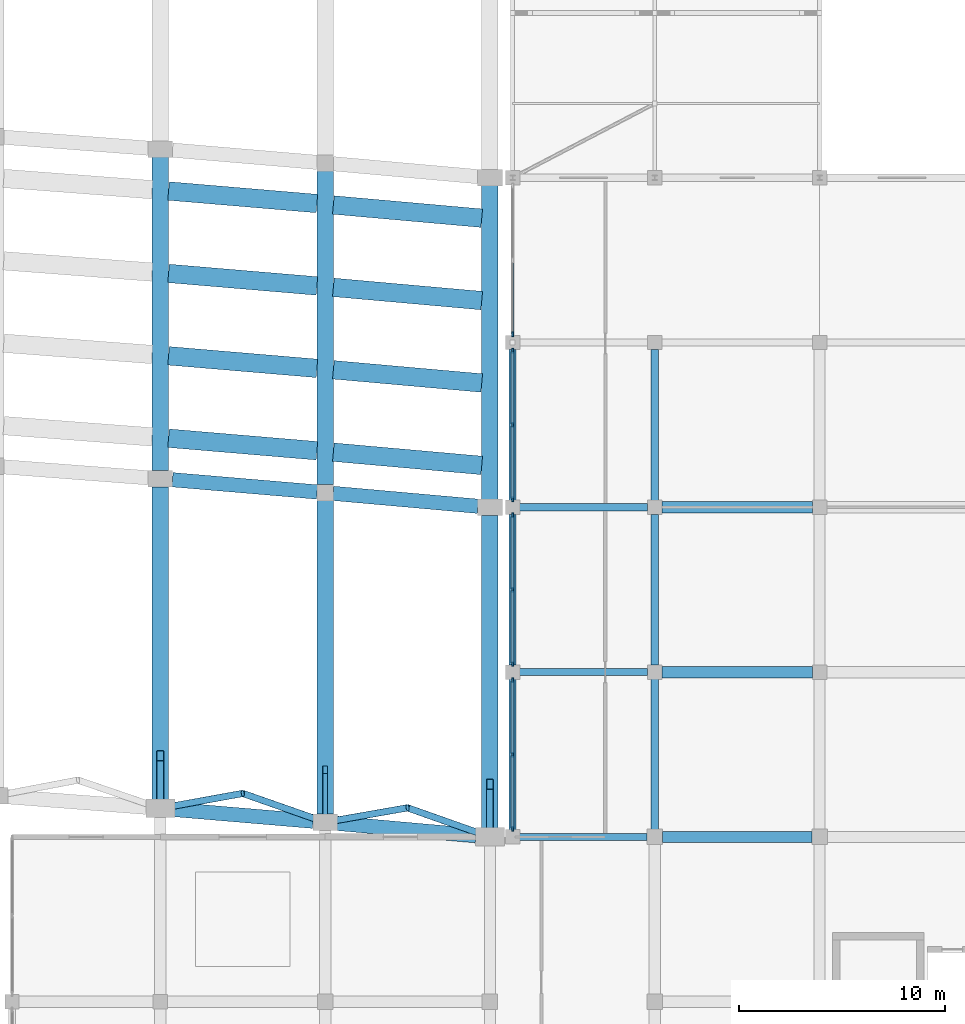
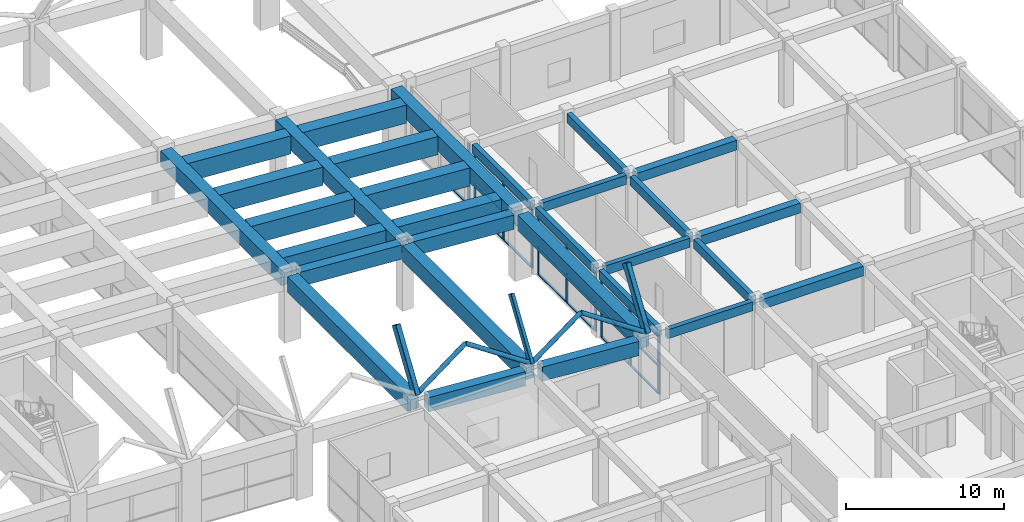
# One storey, part 37 of 69: 33 beams, 33 members, 4 elements without a shape of their own.
"""IFC4 building model written with IfcOpenShell, lengths in metres."""

from ifc_helpers import new_model, si_unit, direction, frame, origin, origin_2d, place, context, subcontext, project, spatial, rectangle, hollow_rectangle, hollow_circle, extrude, material, material_profile, profile_set, type_object, element, aggregate, save


model = new_model("IFC4")

# Units and contexts
model_context = context("Model", 3, precision=1e-05, world=origin(), true_north=direction((0.0, 1.0)))
body_context = subcontext(model_context, "Body", "Model", "MODEL_VIEW")
ifc_project = project(units=[si_unit("LENGTHUNIT", "METRE"), si_unit("AREAUNIT", "SQUARE_METRE"), si_unit("VOLUMEUNIT", "CUBIC_METRE"), si_unit("PLANEANGLEUNIT", "RADIAN"), si_unit("MASSUNIT", "GRAM", prefix="KILO")], contexts=[model_context])

# Site, building, storey
site_placement = place(None, origin())
site = spatial("IfcSite", under=ifc_project, at=site_placement, CompositionType="ELEMENT")
building_placement = place(site_placement, origin())
building = spatial("IfcBuilding", under=site, at=building_placement, Name="Kenh Van Central Station", CompositionType="ELEMENT")
storey_placement = place(building_placement, frame((0.0, 0.0, 5.39990234375)))
storey = spatial("IfcBuildingStorey", under=building, at=storey_placement, Name="L01", CompositionType="ELEMENT", Elevation=5.39990234375)

# Beams
ifc_material_1 = material(Name="Concrete C35/45", Category="concrete")
ifc_material_profile_1 = material_profile(ifc_material_1, rectangle(XDim=0.550048828125, YDim=0.75, at=origin_2d()), Name="RC 550x750")
ifc_profile_set_1 = profile_set([ifc_material_profile_1], Name="Concrete C35/45")
beam_type_1 = type_object("IfcBeamType", Name="BM-RC-550x750", PredefinedType="BEAM", material=ifc_profile_set_1)
beam_1_placement = place(storey_placement, frame((152.364990234375, 64.0, 4.76513671875), z_axis=(1.0, 0.0, 0.0), x_axis=(0.0, 1.0, 0.0)))
element("IfcBeam", 1, at=beam_1_placement, inside=storey, type_object=beam_type_1, Name="L01 beam 0738", PredefinedType="BEAM", context=body_context, shape_type="SweptSolid", body=[
    extrude(rectangle(XDim=0.550048828125, YDim=0.75, at=origin_2d()), origin(), (0.0, 0.0, 1.0), 7.27001953125),
])
for number, where, z_axis, x_axis, name in (
    (2, (152.340087890625, 72.0, 4.76513671875), (1.0, 0.0, 0.0), (0.0, 1.0, 0.0), "L01 beam 0742"),
    (3, (152.340087890625, 80.0, 4.76513671875), (1.0, 0.0, 0.0), (0.0, 1.0, 0.0), "L01 beam 0746"),
):
    element("IfcBeam", number, at=place(storey_placement, frame(where, z_axis=z_axis, x_axis=x_axis)), inside=storey, type_object=beam_type_1, Name=name, PredefinedType="BEAM", context=body_context, shape_type="SweptSolid", body=[
        extrude(rectangle(XDim=0.550048828125, YDim=0.75, at=origin_2d()), origin(), (0.0, 0.0, 1.0), 7.31982421875),
    ])
ifc_material_2 = material(Name="Concrete C40/50", Category="concrete")
ifc_material_profile_2 = material_profile(ifc_material_2, rectangle(XDim=0.699951171875, YDim=1.10009765625, at=origin_2d()), Name="RC 700x1100")
ifc_profile_set_2 = profile_set([ifc_material_profile_2], Name="Concrete C40/50")
beam_type_2 = type_object("IfcBeamType", Name="BM-RC-700x1100", PredefinedType="BEAM", material=ifc_profile_set_2)
beam_2_placement = place(storey_placement, frame((128.6875, 65.330322265625, 4.530029296875), z_axis=(0.996444229131, -0.084254959688, 0.0), x_axis=(0.084254959688, 0.996444229131, 0.0)))
element("IfcBeam", 4, at=beam_2_placement, inside=storey, type_object=beam_type_2, Name="L01 viaduct girder 1393", PredefinedType="BEAM", context=body_context, shape_type="SweptSolid", body=[
    extrude(rectangle(XDim=0.699951171875, YDim=1.10009765625, at=origin_2d()), origin(), (0.0, 0.0, 1.0), 6.74853515625),
])
beam_3_placement = place(storey_placement, frame((136.587646484375, 64.65966796875, 4.530029296875), z_axis=(0.996064770489, -0.088628285503, 0.0), x_axis=(0.088628285503, 0.996064770489, 0.0)))
element("IfcBeam", 5, at=beam_3_placement, inside=storey, type_object=beam_type_2, Name="L01 viaduct girder 1394", PredefinedType="BEAM", context=body_context, shape_type="SweptSolid", body=[
    extrude(rectangle(XDim=0.699951171875, YDim=1.10009765625, at=origin_2d()), origin(), (0.0, 0.0, 1.0), 6.751708984375),
])
beam_4_placement = place(storey_placement, frame((128.587890625, 81.338623046875, 4.530029296875), z_axis=(0.996445671576, -0.084237898821, 0.0), x_axis=(0.084237898821, 0.996445671576, 0.0)))
element("IfcBeam", 6, at=beam_4_placement, inside=storey, type_object=beam_type_2, Name="L01 viaduct girder 1406", PredefinedType="BEAM", context=body_context, shape_type="SweptSolid", body=[
    extrude(rectangle(XDim=0.699951171875, YDim=1.10009765625, at=origin_2d()), origin(), (0.0, 0.0, 1.0), 7.048583984375),
])
beam_5_placement = place(storey_placement, frame((136.388427734375, 80.677490234375, 4.530029296875), z_axis=(0.996061437134, -0.088665740024, 0.0), x_axis=(0.088665740024, 0.996061437134, 0.0)))
element("IfcBeam", 7, at=beam_5_placement, inside=storey, type_object=beam_type_2, Name="L01 viaduct girder 1407", PredefinedType="BEAM", context=body_context, shape_type="SweptSolid", body=[
    extrude(rectangle(XDim=0.699951171875, YDim=1.10009765625, at=origin_2d()), origin(), (0.0, 0.0, 1.0), 7.0517578125),
])
ifc_material_profile_3 = material_profile(ifc_material_2, rectangle(XDim=0.800048828125, YDim=1.199951171875, at=origin_2d()), Name="RC 800x1200")
ifc_profile_set_3 = profile_set([ifc_material_profile_3], Name="Concrete C40/50")
beam_type_3 = type_object("IfcBeamType", Name="BM-TRK-800x1200", PredefinedType="BEAM", material=ifc_profile_set_3)
beam_6_placement = place(storey_placement, frame((128.0, 65.828369140625, 4.47998046875), z_axis=(0.0, 1.0, 0.0), x_axis=(-1.0, 0.0, 0.0)))
element("IfcBeam", 8, at=beam_6_placement, inside=storey, type_object=beam_type_3, Name="L01 viaduct cross-girder 1466", PredefinedType="BEAM", context=body_context, shape_type="SweptSolid", body=[
    extrude(rectangle(XDim=0.800048828125, YDim=1.199951171875, at=origin_2d()), origin(), (0.0, 0.0, 1.0), 15.169921875),
])
for number, where, z_axis, x_axis, name in (
    (9, (128.0, 81.7783203125, 4.47998046875), (0.0, 1.0, 0.0), (-1.0, 0.0, 0.0), "L01 viaduct cross-girder 1467"),
    (10, (136.0, 65.10205078125, 4.47998046875), (0.0, 1.0, 0.0), (-1.0, 0.0, 0.0), "L01 viaduct cross-girder 1469"),
    (11, (136.0, 81.10205078125, 4.47998046875), (0.0, 1.0, 0.0), (-1.0, 0.0, 0.0), "L01 viaduct cross-girder 1470"),
):
    element("IfcBeam", number, at=place(storey_placement, frame(where, z_axis=z_axis, x_axis=x_axis)), inside=storey, type_object=beam_type_3, Name=name, PredefinedType="BEAM", context=body_context, shape_type="SweptSolid", body=[
        extrude(rectangle(XDim=0.800048828125, YDim=1.199951171875, at=origin_2d()), origin(), (0.0, 0.0, 1.0), 15.219970703125),
    ])
beam_7_placement = place(storey_placement, frame((144.0, 64.43994140625, 4.47998046875), z_axis=(0.0, 1.0, 0.0), x_axis=(-1.0, 0.0, 0.0)))
element("IfcBeam", 12, at=beam_7_placement, inside=storey, type_object=beam_type_3, Name="L01 viaduct cross-girder 1472", PredefinedType="BEAM", context=body_context, shape_type="SweptSolid", body=[
    extrude(rectangle(XDim=0.800048828125, YDim=1.199951171875, at=origin_2d()), origin(), (0.0, 0.0, 1.0), 15.170166015625),
])
beam_8_placement = place(storey_placement, frame((144.0, 80.389892578125, 4.47998046875), z_axis=(0.0, 1.0, 0.0), x_axis=(-1.0, 0.0, 0.0)))
element("IfcBeam", 13, at=beam_8_placement, inside=storey, type_object=beam_type_3, Name="L01 viaduct cross-girder 1473", PredefinedType="BEAM", context=body_context, shape_type="SweptSolid", body=[
    extrude(rectangle(XDim=0.800048828125, YDim=1.199951171875, at=origin_2d()), origin(), (0.0, 0.0, 1.0), 15.22021484375),
])
ifc_material_profile_4 = material_profile(ifc_material_2, rectangle(XDim=0.89990234375, YDim=1.39990234375, at=origin_2d()), Name="RC 900x1400")
ifc_profile_set_4 = profile_set([ifc_material_profile_4], Name="Concrete C40/50")
beam_type_4 = type_object("IfcBeamType", Name="BM-TRK-900x1400", PredefinedType="BEAM", material=ifc_profile_set_4)
beam_9_placement = place(storey_placement, frame((128.398681640625, 83.354736328125, 4.380126953125), z_axis=(0.996445816639, -0.084236182859, 0.0), x_axis=(0.084236182859, 0.996445816639, 0.0)))
element("IfcBeam", 14, at=beam_9_placement, inside=storey, type_object=beam_type_4, Name="Track 1 trough girder 1487", PredefinedType="BEAM", context=body_context, shape_type="SweptSolid", body=[
    extrude(rectangle(XDim=0.89990234375, YDim=1.39990234375, at=origin_2d()), origin(), (0.0, 0.0, 1.0), 7.228271484375),
])
beam_10_placement = place(storey_placement, frame((136.3984375, 82.676513671875, 4.380126953125), z_axis=(0.99606244482, -0.088654419065, 0.0), x_axis=(0.088654419065, 0.99606244482, 0.0)))
element("IfcBeam", 15, at=beam_10_placement, inside=storey, type_object=beam_type_4, Name="Track 1 trough girder 1488", PredefinedType="BEAM", context=body_context, shape_type="SweptSolid", body=[
    extrude(rectangle(XDim=0.89990234375, YDim=1.39990234375, at=origin_2d()), origin(), (0.0, 0.0, 1.0), 7.231689453125),
])
beam_11_placement = place(storey_placement, frame((128.398681640625, 87.354736328125, 4.380126953125), z_axis=(0.996445816639, -0.084236182859, 0.0), x_axis=(0.084236182859, 0.996445816639, 0.0)))
element("IfcBeam", 16, at=beam_11_placement, inside=storey, type_object=beam_type_4, Name="Track 2 trough girder 1501", PredefinedType="BEAM", context=body_context, shape_type="SweptSolid", body=[
    extrude(rectangle(XDim=0.89990234375, YDim=1.39990234375, at=origin_2d()), origin(), (0.0, 0.0, 1.0), 7.228271484375),
])
beam_12_placement = place(storey_placement, frame((136.3984375, 86.676513671875, 4.380126953125), z_axis=(0.99606244482, -0.088654419065, 0.0), x_axis=(0.088654419065, 0.99606244482, 0.0)))
element("IfcBeam", 17, at=beam_12_placement, inside=storey, type_object=beam_type_4, Name="Track 2 trough girder 1502", PredefinedType="BEAM", context=body_context, shape_type="SweptSolid", body=[
    extrude(rectangle(XDim=0.89990234375, YDim=1.39990234375, at=origin_2d()), origin(), (0.0, 0.0, 1.0), 7.231689453125),
])
beam_13_placement = place(storey_placement, frame((128.398681640625, 91.354736328125, 4.380126953125), z_axis=(0.996445816639, -0.084236182859, 0.0), x_axis=(0.084236182859, 0.996445816639, 0.0)))
element("IfcBeam", 18, at=beam_13_placement, inside=storey, type_object=beam_type_4, Name="Track 3 trough girder 1515", PredefinedType="BEAM", context=body_context, shape_type="SweptSolid", body=[
    extrude(rectangle(XDim=0.89990234375, YDim=1.39990234375, at=origin_2d()), origin(), (0.0, 0.0, 1.0), 7.228271484375),
])
beam_14_placement = place(storey_placement, frame((136.3984375, 90.676513671875, 4.380126953125), z_axis=(0.99606244482, -0.088654419065, 0.0), x_axis=(0.088654419065, 0.99606244482, 0.0)))
element("IfcBeam", 19, at=beam_14_placement, inside=storey, type_object=beam_type_4, Name="Track 3 trough girder 1516", PredefinedType="BEAM", context=body_context, shape_type="SweptSolid", body=[
    extrude(rectangle(XDim=0.89990234375, YDim=1.39990234375, at=origin_2d()), origin(), (0.0, 0.0, 1.0), 7.231689453125),
])
beam_15_placement = place(storey_placement, frame((128.398681640625, 95.354736328125, 4.380126953125), z_axis=(0.996445816639, -0.084236182859, 0.0), x_axis=(0.084236182859, 0.996445816639, 0.0)))
element("IfcBeam", 20, at=beam_15_placement, inside=storey, type_object=beam_type_4, Name="Track 4 trough girder 1529", PredefinedType="BEAM", context=body_context, shape_type="SweptSolid", body=[
    extrude(rectangle(XDim=0.89990234375, YDim=1.39990234375, at=origin_2d()), origin(), (0.0, 0.0, 1.0), 7.228271484375),
])
beam_16_placement = place(storey_placement, frame((136.3984375, 94.676513671875, 4.380126953125), z_axis=(0.99606244482, -0.088654419065, 0.0), x_axis=(0.088654419065, 0.99606244482, 0.0)))
element("IfcBeam", 21, at=beam_16_placement, inside=storey, type_object=beam_type_4, Name="Track 4 trough girder 1530", PredefinedType="BEAM", context=body_context, shape_type="SweptSolid", body=[
    extrude(rectangle(XDim=0.89990234375, YDim=1.39990234375, at=origin_2d()), origin(), (0.0, 0.0, 1.0), 7.231689453125),
])
ifc_material_3 = material(Name="White fluoropolymer structural steel S355", Category="steel")
ifc_material_profile_5 = material_profile(ifc_material_3, hollow_rectangle(XDim=0.35009765625, YDim=0.60009765625, WallThickness=0.01611328125, InnerFilletRadius=0.01611328125, OuterFilletRadius=0.031982421875, at=origin_2d()), Name="RHS 600x350x16")
ifc_profile_set_5 = profile_set([ifc_material_profile_5], Name="White fluoropolymer structural steel S355")
beam_type_5 = type_object("IfcBeamType", Name="BM-VAULT-ARCH600", PredefinedType="BEAM", material=ifc_profile_set_5)
for number, where, z_axis, x_axis, name in (
    (22, (128.0, 65.388427734375, 5.280029296875), (0.0, 0.5493771127, 0.835574525725), (-1.0, 0.0, 0.0), "Vault transverse arch 142"),
    (23, (144.0, 64.0, 5.280029296875), (0.0, 0.549413802018, 0.835550401922), (-1.0, 0.0, 0.0), "Vault transverse arch 166"),
):
    element("IfcBeam", number, at=place(storey_placement, frame(where, z_axis=z_axis, x_axis=x_axis)), inside=storey, type_object=beam_type_5, Name=name, PredefinedType="BEAM", context=body_context, shape_type="SweptSolid", body=[
        extrude(hollow_rectangle(XDim=0.35009765625, YDim=0.60009765625, WallThickness=0.01611328125, InnerFilletRadius=0.01611328125, OuterFilletRadius=0.031982421875, at=origin_2d()), origin(), (0.0, 0.0, 1.0), 4.645751953125),
    ])
ifc_material_profile_6 = material_profile(ifc_material_3, hollow_rectangle(XDim=0.25, YDim=0.449951171875, WallThickness=0.012451171875, InnerFilletRadius=0.012451171875, OuterFilletRadius=0.02490234375, at=origin_2d()), Name="RHS 450x250x12.5")
ifc_profile_set_6 = profile_set([ifc_material_profile_6], Name="White fluoropolymer structural steel S355")
beam_type_6 = type_object("IfcBeamType", Name="BM-VAULT-SUB450", PredefinedType="BEAM", material=ifc_profile_set_6)
beam_17_placement = place(storey_placement, frame((136.0, 64.712158203125, 5.280029296875), z_axis=(0.0, 0.5493771127, 0.835574525725), x_axis=(-1.0, 0.0, 0.0)))
element("IfcBeam", 24, at=beam_17_placement, inside=storey, type_object=beam_type_6, Name="Vault transverse arch 154", PredefinedType="BEAM", context=body_context, shape_type="SweptSolid", body=[
    extrude(hollow_rectangle(XDim=0.25, YDim=0.449951171875, WallThickness=0.012451171875, InnerFilletRadius=0.012451171875, OuterFilletRadius=0.02490234375, at=origin_2d()), origin(), (0.0, 0.0, 1.0), 4.645751953125),
])

# Curtain wall, member
ifc_material_4 = material(Name="Champagne anodised aluminium", Category="aluminium")
curtain_wall_type = type_object("IfcCurtainWallType", Name="CW-OPER-B", PredefinedType="NOTDEFINED", material=ifc_material_4)
curtain_wall_1_placement = place(storey_placement, origin())
curtain_wall_1 = element("IfcCurtainWall", 25, at=curtain_wall_1_placement, inside=storey, type_object=curtain_wall_type, Name="L01 curtain wall 148", PredefinedType="NOTDEFINED")
ifc_material_profile_7 = material_profile(ifc_material_4, rectangle(XDim=0.087890625, YDim=0.239990234375, at=origin_2d()), Name="AL 88x240")
ifc_profile_set_7 = profile_set([ifc_material_profile_7], Name="Champagne anodised aluminium")
member_type_1 = type_object("IfcMemberType", Name="CWM-60x140", PredefinedType="MULLION", material=ifc_profile_set_7)
member_1_placement = place(storey_placement, frame((145.10009765625, 88.39404296875, 0.0), z_axis=(0.0, 0.0, 1.0), x_axis=(1.0, 0.0, 0.0)))
member_1 = element("IfcMember", 26, at=member_1_placement, type_object=member_type_1, Name="CW-08 mullion 3", PredefinedType="MULLION", context=body_context, shape_type="SweptSolid", body=[
    extrude(rectangle(XDim=0.087890625, YDim=0.239990234375, at=origin_2d()), origin(), (0.0, 0.0, 1.0), 4.755615234375),
])

# Curtain wall, members
curtain_wall_2_placement = place(storey_placement, origin())
curtain_wall_2 = element("IfcCurtainWall", 27, at=curtain_wall_2_placement, inside=storey, type_object=curtain_wall_type, Name="L01 curtain wall 149", PredefinedType="NOTDEFINED")
member_2_placement = place(storey_placement, frame((145.10009765625, 87.60595703125, 0.0), z_axis=(0.0, 0.0, 1.0), x_axis=(1.0, 0.0, 0.0)))
member_2 = element("IfcMember", 28, at=member_2_placement, type_object=member_type_1, Name="CW-08 mullion 1", PredefinedType="MULLION", context=body_context, shape_type="SweptSolid", body=[
    extrude(rectangle(XDim=0.087890625, YDim=0.239990234375, at=origin_2d()), origin(), (0.0, 0.0, 1.0), 4.47998046875),
])
member_3_placement = place(storey_placement, frame((145.10009765625, 84.0, 0.0), z_axis=(0.0, 0.0, 1.0), x_axis=(1.0, 0.0, 0.0)))
member_3 = element("IfcMember", 29, at=member_3_placement, type_object=member_type_1, Name="CW-08 mullion 2", PredefinedType="MULLION", context=body_context, shape_type="SweptSolid", body=[
    extrude(rectangle(XDim=0.087890625, YDim=0.239990234375, at=origin_2d()), origin(), (0.0, 0.0, 1.0), 4.47998046875),
])
member_4_placement = place(storey_placement, frame((145.10009765625, 80.39404296875, 0.0), z_axis=(0.0, 0.0, 1.0), x_axis=(1.0, 0.0, 0.0)))
member_4 = element("IfcMember", 30, at=member_4_placement, type_object=member_type_1, Name="CW-08 mullion 3", PredefinedType="MULLION", context=body_context, shape_type="SweptSolid", body=[
    extrude(rectangle(XDim=0.087890625, YDim=0.239990234375, at=origin_2d()), origin(), (0.0, 0.0, 1.0), 4.47998046875),
])

curtain_wall_3_placement = place(storey_placement, origin())
curtain_wall_3 = element("IfcCurtainWall", 31, at=curtain_wall_3_placement, inside=storey, type_object=curtain_wall_type, Name="L01 curtain wall 150", PredefinedType="NOTDEFINED")
member_5_placement = place(storey_placement, frame((145.10009765625, 79.60595703125, 0.0), z_axis=(0.0, 0.0, 1.0), x_axis=(1.0, 0.0, 0.0)))
member_5 = element("IfcMember", 32, at=member_5_placement, type_object=member_type_1, Name="CW-08 mullion 1", PredefinedType="MULLION", context=body_context, shape_type="SweptSolid", body=[
    extrude(rectangle(XDim=0.087890625, YDim=0.239990234375, at=origin_2d()), origin(), (0.0, 0.0, 1.0), 4.47998046875),
])
member_6_placement = place(storey_placement, frame((145.10009765625, 76.0, 0.0), z_axis=(0.0, 0.0, 1.0), x_axis=(1.0, 0.0, 0.0)))
member_6 = element("IfcMember", 33, at=member_6_placement, type_object=member_type_1, Name="CW-08 mullion 2", PredefinedType="MULLION", context=body_context, shape_type="SweptSolid", body=[
    extrude(rectangle(XDim=0.087890625, YDim=0.239990234375, at=origin_2d()), origin(), (0.0, 0.0, 1.0), 4.47998046875),
])
member_7_placement = place(storey_placement, frame((145.10009765625, 72.39404296875, 0.0), z_axis=(0.0, 0.0, 1.0), x_axis=(1.0, 0.0, 0.0)))
member_7 = element("IfcMember", 34, at=member_7_placement, type_object=member_type_1, Name="CW-08 mullion 3", PredefinedType="MULLION", context=body_context, shape_type="SweptSolid", body=[
    extrude(rectangle(XDim=0.087890625, YDim=0.239990234375, at=origin_2d()), origin(), (0.0, 0.0, 1.0), 4.47998046875),
])

curtain_wall_4_placement = place(storey_placement, origin())
curtain_wall_4 = element("IfcCurtainWall", 35, at=curtain_wall_4_placement, inside=storey, type_object=curtain_wall_type, Name="L01 curtain wall 151", PredefinedType="NOTDEFINED")
member_8_placement = place(storey_placement, frame((145.10009765625, 71.60595703125, 0.0), z_axis=(0.0, 0.0, 1.0), x_axis=(1.0, 0.0, 0.0)))
member_8 = element("IfcMember", 36, at=member_8_placement, type_object=member_type_1, Name="CW-08 mullion 1", PredefinedType="MULLION", context=body_context, shape_type="SweptSolid", body=[
    extrude(rectangle(XDim=0.087890625, YDim=0.239990234375, at=origin_2d()), origin(), (0.0, 0.0, 1.0), 4.47998046875),
])
member_9_placement = place(storey_placement, frame((145.10009765625, 68.0, 0.0), z_axis=(0.0, 0.0, 1.0), x_axis=(1.0, 0.0, 0.0)))
member_9 = element("IfcMember", 37, at=member_9_placement, type_object=member_type_1, Name="CW-08 mullion 2", PredefinedType="MULLION", context=body_context, shape_type="SweptSolid", body=[
    extrude(rectangle(XDim=0.087890625, YDim=0.239990234375, at=origin_2d()), origin(), (0.0, 0.0, 1.0), 4.47998046875),
])
member_10_placement = place(storey_placement, frame((145.10009765625, 64.39404296875, 0.0), z_axis=(0.0, 0.0, 1.0), x_axis=(1.0, 0.0, 0.0)))
member_10 = element("IfcMember", 38, at=member_10_placement, type_object=member_type_1, Name="CW-08 mullion 3", PredefinedType="MULLION", context=body_context, shape_type="SweptSolid", body=[
    extrude(rectangle(XDim=0.087890625, YDim=0.239990234375, at=origin_2d()), origin(), (0.0, 0.0, 1.0), 4.47998046875),
])

# Member
ifc_material_profile_8 = material_profile(ifc_material_4, rectangle(XDim=0.155029296875, YDim=0.072021484375, at=origin_2d()), Name="AL 155x72")
ifc_profile_set_8 = profile_set([ifc_material_profile_8], Name="Champagne anodised aluminium")
member_type_2 = type_object("IfcMemberType", Name="CWT-120x60", PredefinedType="USERDEFINED", material=ifc_profile_set_8)
member_11_placement = place(storey_placement, frame((145.10009765625, 91.9560546875, 0.0361328125), z_axis=(0.0, -1.0, 0.0), x_axis=(1.0, 0.0, 0.0)))
member_11 = element("IfcMember", 39, at=member_11_placement, type_object=member_type_2, Name="CW-08 transom 2.1", ObjectType="TRANSOM", PredefinedType="USERDEFINED", context=body_context, shape_type="SweptSolid", body=[
    extrude(rectangle(XDim=0.155029296875, YDim=0.072021484375, at=origin_2d()), origin(), (0.0, 0.0, 1.0), 3.51806640625),
])

aggregate(curtain_wall_1, [member_1, member_11])

member_12_placement = place(storey_placement, frame((145.10009765625, 87.56201171875, 0.0361328125), z_axis=(0.0, -1.0, 0.0), x_axis=(1.0, 0.0, 0.0)))
member_12 = element("IfcMember", 40, at=member_12_placement, type_object=member_type_2, Name="CW-08 transom 1.1", ObjectType="TRANSOM", PredefinedType="USERDEFINED", context=body_context, shape_type="SweptSolid", body=[
    extrude(rectangle(XDim=0.155029296875, YDim=0.072021484375, at=origin_2d()), origin(), (0.0, 0.0, 1.0), 3.51806640625),
])

member_13_placement = place(storey_placement, frame((145.10009765625, 87.56201171875, 2.150390625), z_axis=(0.0, -1.0, 0.0), x_axis=(1.0, 0.0, 0.0)))
member_13 = element("IfcMember", 41, at=member_13_placement, type_object=member_type_2, Name="CW-08 transom 1.2", ObjectType="TRANSOM", PredefinedType="USERDEFINED", context=body_context, shape_type="SweptSolid", body=[
    extrude(rectangle(XDim=0.155029296875, YDim=0.072021484375, at=origin_2d()), origin(), (0.0, 0.0, 1.0), 3.51806640625),
])

member_14_placement = place(storey_placement, frame((145.10009765625, 87.56201171875, 4.444091796875), z_axis=(0.0, -1.0, 0.0), x_axis=(1.0, 0.0, 0.0)))
member_14 = element("IfcMember", 42, at=member_14_placement, type_object=member_type_2, Name="CW-08 transom 1.3", ObjectType="TRANSOM", PredefinedType="USERDEFINED", context=body_context, shape_type="SweptSolid", body=[
    extrude(rectangle(XDim=0.155029296875, YDim=0.072021484375, at=origin_2d()), origin(), (0.0, 0.0, 1.0), 3.51806640625),
])

member_15_placement = place(storey_placement, frame((145.10009765625, 83.9560546875, 0.0361328125), z_axis=(0.0, -1.0, 0.0), x_axis=(1.0, 0.0, 0.0)))
member_15 = element("IfcMember", 43, at=member_15_placement, type_object=member_type_2, Name="CW-08 transom 2.1", ObjectType="TRANSOM", PredefinedType="USERDEFINED", context=body_context, shape_type="SweptSolid", body=[
    extrude(rectangle(XDim=0.155029296875, YDim=0.072021484375, at=origin_2d()), origin(), (0.0, 0.0, 1.0), 3.51806640625),
])

member_16_placement = place(storey_placement, frame((145.10009765625, 83.9560546875, 2.150390625), z_axis=(0.0, -1.0, 0.0), x_axis=(1.0, 0.0, 0.0)))
member_16 = element("IfcMember", 44, at=member_16_placement, type_object=member_type_2, Name="CW-08 transom 2.2", ObjectType="TRANSOM", PredefinedType="USERDEFINED", context=body_context, shape_type="SweptSolid", body=[
    extrude(rectangle(XDim=0.155029296875, YDim=0.072021484375, at=origin_2d()), origin(), (0.0, 0.0, 1.0), 3.51806640625),
])

member_17_placement = place(storey_placement, frame((145.10009765625, 83.9560546875, 4.444091796875), z_axis=(0.0, -1.0, 0.0), x_axis=(1.0, 0.0, 0.0)))
member_17 = element("IfcMember", 45, at=member_17_placement, type_object=member_type_2, Name="CW-08 transom 2.3", ObjectType="TRANSOM", PredefinedType="USERDEFINED", context=body_context, shape_type="SweptSolid", body=[
    extrude(rectangle(XDim=0.155029296875, YDim=0.072021484375, at=origin_2d()), origin(), (0.0, 0.0, 1.0), 3.51806640625),
])

aggregate(curtain_wall_2, [member_2, member_3, member_4, member_12, member_13, member_14, member_15, member_16, member_17])

member_18_placement = place(storey_placement, frame((145.10009765625, 79.56201171875, 0.0361328125), z_axis=(0.0, -1.0, 0.0), x_axis=(1.0, 0.0, 0.0)))
member_18 = element("IfcMember", 46, at=member_18_placement, type_object=member_type_2, Name="CW-08 transom 1.1", ObjectType="TRANSOM", PredefinedType="USERDEFINED", context=body_context, shape_type="SweptSolid", body=[
    extrude(rectangle(XDim=0.155029296875, YDim=0.072021484375, at=origin_2d()), origin(), (0.0, 0.0, 1.0), 3.51806640625),
])

member_19_placement = place(storey_placement, frame((145.10009765625, 79.56201171875, 2.150390625), z_axis=(0.0, -1.0, 0.0), x_axis=(1.0, 0.0, 0.0)))
member_19 = element("IfcMember", 47, at=member_19_placement, type_object=member_type_2, Name="CW-08 transom 1.2", ObjectType="TRANSOM", PredefinedType="USERDEFINED", context=body_context, shape_type="SweptSolid", body=[
    extrude(rectangle(XDim=0.155029296875, YDim=0.072021484375, at=origin_2d()), origin(), (0.0, 0.0, 1.0), 3.51806640625),
])

member_20_placement = place(storey_placement, frame((145.10009765625, 79.56201171875, 4.444091796875), z_axis=(0.0, -1.0, 0.0), x_axis=(1.0, 0.0, 0.0)))
member_20 = element("IfcMember", 48, at=member_20_placement, type_object=member_type_2, Name="CW-08 transom 1.3", ObjectType="TRANSOM", PredefinedType="USERDEFINED", context=body_context, shape_type="SweptSolid", body=[
    extrude(rectangle(XDim=0.155029296875, YDim=0.072021484375, at=origin_2d()), origin(), (0.0, 0.0, 1.0), 3.51806640625),
])

member_21_placement = place(storey_placement, frame((145.10009765625, 75.9560546875, 0.0361328125), z_axis=(0.0, -1.0, 0.0), x_axis=(1.0, 0.0, 0.0)))
member_21 = element("IfcMember", 49, at=member_21_placement, type_object=member_type_2, Name="CW-08 transom 2.1", ObjectType="TRANSOM", PredefinedType="USERDEFINED", context=body_context, shape_type="SweptSolid", body=[
    extrude(rectangle(XDim=0.155029296875, YDim=0.072021484375, at=origin_2d()), origin(), (0.0, 0.0, 1.0), 3.51806640625),
])

member_22_placement = place(storey_placement, frame((145.10009765625, 75.9560546875, 2.150390625), z_axis=(0.0, -1.0, 0.0), x_axis=(1.0, 0.0, 0.0)))
member_22 = element("IfcMember", 50, at=member_22_placement, type_object=member_type_2, Name="CW-08 transom 2.2", ObjectType="TRANSOM", PredefinedType="USERDEFINED", context=body_context, shape_type="SweptSolid", body=[
    extrude(rectangle(XDim=0.155029296875, YDim=0.072021484375, at=origin_2d()), origin(), (0.0, 0.0, 1.0), 3.51806640625),
])

member_23_placement = place(storey_placement, frame((145.10009765625, 75.9560546875, 4.444091796875), z_axis=(0.0, -1.0, 0.0), x_axis=(1.0, 0.0, 0.0)))
member_23 = element("IfcMember", 51, at=member_23_placement, type_object=member_type_2, Name="CW-08 transom 2.3", ObjectType="TRANSOM", PredefinedType="USERDEFINED", context=body_context, shape_type="SweptSolid", body=[
    extrude(rectangle(XDim=0.155029296875, YDim=0.072021484375, at=origin_2d()), origin(), (0.0, 0.0, 1.0), 3.51806640625),
])

aggregate(curtain_wall_3, [member_5, member_6, member_7, member_18, member_19, member_20, member_21, member_22, member_23])

member_24_placement = place(storey_placement, frame((145.10009765625, 71.56201171875, 0.0361328125), z_axis=(0.0, -1.0, 0.0), x_axis=(1.0, 0.0, 0.0)))
member_24 = element("IfcMember", 52, at=member_24_placement, type_object=member_type_2, Name="CW-08 transom 1.1", ObjectType="TRANSOM", PredefinedType="USERDEFINED", context=body_context, shape_type="SweptSolid", body=[
    extrude(rectangle(XDim=0.155029296875, YDim=0.072021484375, at=origin_2d()), origin(), (0.0, 0.0, 1.0), 3.51806640625),
])

member_25_placement = place(storey_placement, frame((145.10009765625, 71.56201171875, 2.150390625), z_axis=(0.0, -1.0, 0.0), x_axis=(1.0, 0.0, 0.0)))
member_25 = element("IfcMember", 53, at=member_25_placement, type_object=member_type_2, Name="CW-08 transom 1.2", ObjectType="TRANSOM", PredefinedType="USERDEFINED", context=body_context, shape_type="SweptSolid", body=[
    extrude(rectangle(XDim=0.155029296875, YDim=0.072021484375, at=origin_2d()), origin(), (0.0, 0.0, 1.0), 3.51806640625),
])

member_26_placement = place(storey_placement, frame((145.10009765625, 71.56201171875, 4.444091796875), z_axis=(0.0, -1.0, 0.0), x_axis=(1.0, 0.0, 0.0)))
member_26 = element("IfcMember", 54, at=member_26_placement, type_object=member_type_2, Name="CW-08 transom 1.3", ObjectType="TRANSOM", PredefinedType="USERDEFINED", context=body_context, shape_type="SweptSolid", body=[
    extrude(rectangle(XDim=0.155029296875, YDim=0.072021484375, at=origin_2d()), origin(), (0.0, 0.0, 1.0), 3.51806640625),
])

member_27_placement = place(storey_placement, frame((145.10009765625, 67.9560546875, 0.0361328125), z_axis=(0.0, -1.0, 0.0), x_axis=(1.0, 0.0, 0.0)))
member_27 = element("IfcMember", 55, at=member_27_placement, type_object=member_type_2, Name="CW-08 transom 2.1", ObjectType="TRANSOM", PredefinedType="USERDEFINED", context=body_context, shape_type="SweptSolid", body=[
    extrude(rectangle(XDim=0.155029296875, YDim=0.072021484375, at=origin_2d()), origin(), (0.0, 0.0, 1.0), 3.51806640625),
])

member_28_placement = place(storey_placement, frame((145.10009765625, 67.9560546875, 2.150390625), z_axis=(0.0, -1.0, 0.0), x_axis=(1.0, 0.0, 0.0)))
member_28 = element("IfcMember", 56, at=member_28_placement, type_object=member_type_2, Name="CW-08 transom 2.2", ObjectType="TRANSOM", PredefinedType="USERDEFINED", context=body_context, shape_type="SweptSolid", body=[
    extrude(rectangle(XDim=0.155029296875, YDim=0.072021484375, at=origin_2d()), origin(), (0.0, 0.0, 1.0), 3.51806640625),
])

member_29_placement = place(storey_placement, frame((145.10009765625, 67.9560546875, 4.444091796875), z_axis=(0.0, -1.0, 0.0), x_axis=(1.0, 0.0, 0.0)))
member_29 = element("IfcMember", 57, at=member_29_placement, type_object=member_type_2, Name="CW-08 transom 2.3", ObjectType="TRANSOM", PredefinedType="USERDEFINED", context=body_context, shape_type="SweptSolid", body=[
    extrude(rectangle(XDim=0.155029296875, YDim=0.072021484375, at=origin_2d()), origin(), (0.0, 0.0, 1.0), 3.51806640625),
])

aggregate(curtain_wall_4, [member_8, member_9, member_10, member_24, member_25, member_26, member_27, member_28, member_29])

# Members
ifc_material_profile_9 = material_profile(ifc_material_3, hollow_circle(Radius=0.161865234375, WallThickness=0.010009765625, at=origin_2d()), Name="CHS 323.9x10")
ifc_profile_set_9 = profile_set([ifc_material_profile_9], Name="White fluoropolymer structural steel S355")
member_type_3 = type_object("IfcMemberType", Name="MEM-VAULT-CHD324", PredefinedType="CHORD", material=ifc_profile_set_9)
member_30_placement = place(storey_placement, frame((128.0, 65.388427734375, 5.340087890625), z_axis=(0.875235857445, 0.158444186596, 0.457009445828), x_axis=(-0.178134889333, 0.984006077828, 0.0)))
element("IfcMember", 58, at=member_30_placement, inside=storey, type_object=member_type_3, Name="Vault diamond grid member 0561", PredefinedType="CHORD", context=body_context, shape_type="SweptSolid", body=[
    extrude(hollow_circle(Radius=0.161865234375, WallThickness=0.010009765625, at=origin_2d()), origin(), (0.0, 0.0, 1.0), 4.5703125),
])
member_31_placement = place(storey_placement, frame((132.0, 66.112548828125, 7.4287109375), z_axis=(0.846602273337, -0.296393471671, -0.442058254907), x_axis=(0.330432535603, 0.94382961355, 0.0)))
element("IfcMember", 59, at=member_31_placement, inside=storey, type_object=member_type_3, Name="Vault diamond grid member 0586", PredefinedType="CHORD", context=body_context, shape_type="SweptSolid", body=[
    extrude(hollow_circle(Radius=0.161865234375, WallThickness=0.010009765625, at=origin_2d()), origin(), (0.0, 0.0, 1.0), 4.724853515625),
])
member_32_placement = place(storey_placement, frame((136.0, 64.712158203125, 5.340087890625), z_axis=(0.875907604648, 0.153647366684, 0.4573602025), x_axis=(-0.172776967653, 0.984960973566, 0.0)))
element("IfcMember", 60, at=member_32_placement, inside=storey, type_object=member_type_3, Name="Vault diamond grid member 0609", PredefinedType="CHORD", context=body_context, shape_type="SweptSolid", body=[
    extrude(hollow_circle(Radius=0.161865234375, WallThickness=0.010009765625, at=origin_2d()), origin(), (0.0, 0.0, 1.0), 4.566650390625),
])
member_33_placement = place(storey_placement, frame((140.0, 65.413818359375, 7.4287109375), z_axis=(0.84588663029, -0.298982511963, -0.441684577767), x_axis=(0.333250529264, 0.942838313151, 0.0)))
element("IfcMember", 61, at=member_33_placement, inside=storey, type_object=member_type_3, Name="Vault diamond grid member 0634", PredefinedType="CHORD", context=body_context, shape_type="SweptSolid", body=[
    extrude(hollow_circle(Radius=0.161865234375, WallThickness=0.010009765625, at=origin_2d()), origin(), (0.0, 0.0, 1.0), 4.728759765625),
])

# Beams
ifc_material_profile_10 = material_profile(ifc_material_1, rectangle(XDim=0.35009765625, YDim=0.699951171875, at=origin_2d()), Name="RC 350x700")
ifc_profile_set_10 = profile_set([ifc_material_profile_10], Name="Concrete C35/45")
beam_type_7 = type_object("IfcBeamType", Name="SPD-RC-350x700", PredefinedType="SPANDREL", material=ifc_profile_set_10)
beam_18_placement = place(storey_placement, frame((145.43994140625, 64.0, 4.7900390625), z_axis=(1.0, 0.0, 0.0), x_axis=(0.0, 1.0, 0.0)))
element("IfcBeam", 62, at=beam_18_placement, inside=storey, type_object=beam_type_7, Name="L01 beam 0737", PredefinedType="SPANDREL", context=body_context, shape_type="SweptSolid", body=[
    extrude(rectangle(XDim=0.35009765625, YDim=0.699951171875, at=origin_2d()), origin(), (0.0, 0.0, 1.0), 6.195068359375),
])
for number, where, z_axis, x_axis, name in (
    (63, (145.43994140625, 72.0, 4.830078125), (1.0, 0.0, 0.0), (0.0, 1.0, 0.0), "L01 beam 0741"),
    (64, (145.43994140625, 80.0, 4.830078125), (1.0, 0.0, 0.0), (0.0, 1.0, 0.0), "L01 beam 0745"),
):
    element("IfcBeam", number, at=place(storey_placement, frame(where, z_axis=z_axis, x_axis=x_axis)), inside=storey, type_object=beam_type_7, Name=name, PredefinedType="SPANDREL", context=body_context, shape_type="SweptSolid", body=[
        extrude(rectangle(XDim=0.35009765625, YDim=0.699951171875, at=origin_2d()), origin(), (0.0, 0.0, 1.0), 6.219970703125),
    ])
for number, where, z_axis, x_axis, name in (
    (65, (145.10009765625, 64.340087890625, 4.830078125), (0.0, 1.0, 0.0), (-1.0, 0.0, 0.0), "L01 beam 0869"),
    (66, (145.10009765625, 72.340087890625, 4.830078125), (0.0, 1.0, 0.0), (-1.0, 0.0, 0.0), "L01 beam 0870"),
    (67, (145.10009765625, 80.340087890625, 4.830078125), (0.0, 1.0, 0.0), (-1.0, 0.0, 0.0), "L01 beam 0871"),
):
    element("IfcBeam", number, at=place(storey_placement, frame(where, z_axis=z_axis, x_axis=x_axis)), inside=storey, type_object=beam_type_7, Name=name, PredefinedType="SPANDREL", context=body_context, shape_type="SweptSolid", body=[
        extrude(rectangle(XDim=0.35009765625, YDim=0.699951171875, at=origin_2d()), origin(), (0.0, 0.0, 1.0), 7.31982421875),
    ])
beam_19_placement = place(storey_placement, frame((152.0, 64.364990234375, 4.7900390625), z_axis=(0.0, 1.0, 0.0), x_axis=(-1.0, 0.0, 0.0)))
element("IfcBeam", 68, at=beam_19_placement, inside=storey, type_object=beam_type_7, Name="L01 beam 0879", PredefinedType="SPANDREL", context=body_context, shape_type="SweptSolid", body=[
    extrude(rectangle(XDim=0.35009765625, YDim=0.699951171875, at=origin_2d()), origin(), (0.0, 0.0, 1.0), 7.294921875),
])
for number, where, z_axis, x_axis, name in (
    (69, (152.0, 72.340087890625, 4.7900390625), (0.0, 1.0, 0.0), (-1.0, 0.0, 0.0), "L01 beam 0880"),
    (70, (152.0, 80.340087890625, 4.7900390625), (0.0, 1.0, 0.0), (-1.0, 0.0, 0.0), "L01 beam 0881"),
):
    element("IfcBeam", number, at=place(storey_placement, frame(where, z_axis=z_axis, x_axis=x_axis)), inside=storey, type_object=beam_type_7, Name=name, PredefinedType="SPANDREL", context=body_context, shape_type="SweptSolid", body=[
        extrude(rectangle(XDim=0.35009765625, YDim=0.699951171875, at=origin_2d()), origin(), (0.0, 0.0, 1.0), 7.31982421875),
    ])

save(model, "model.ifc")
